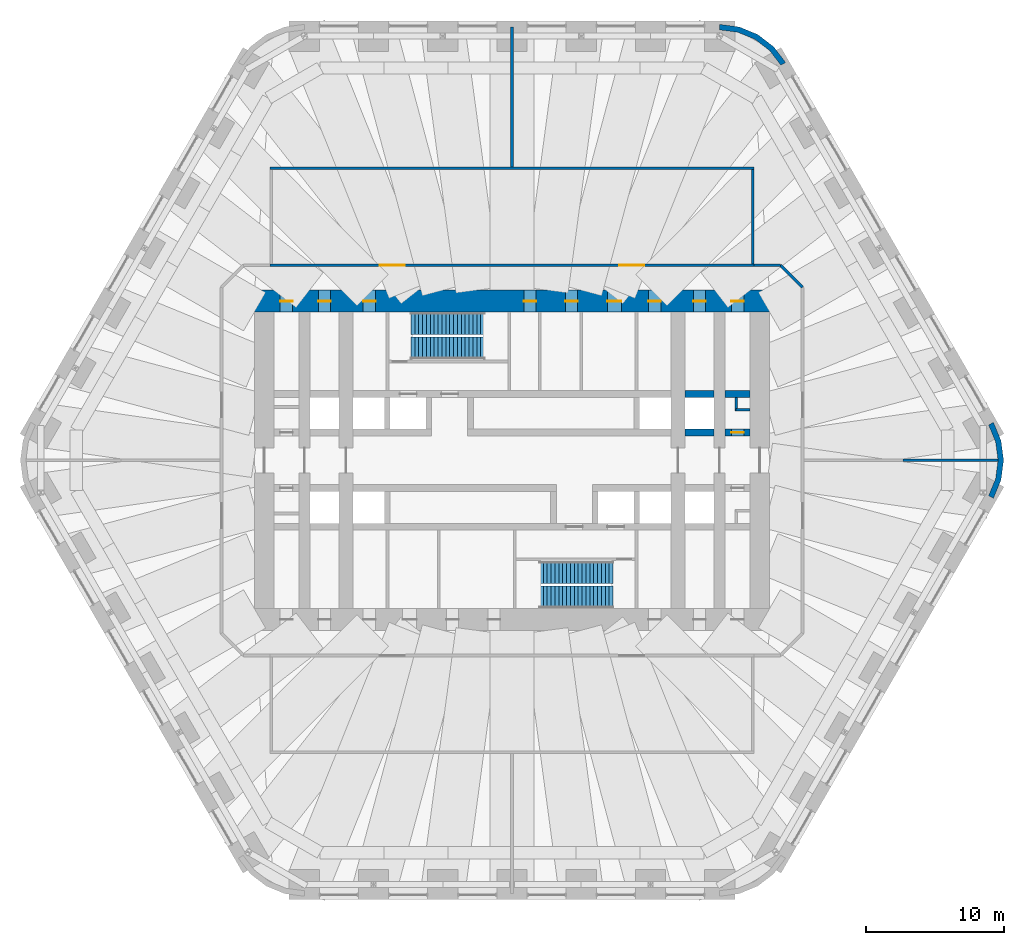
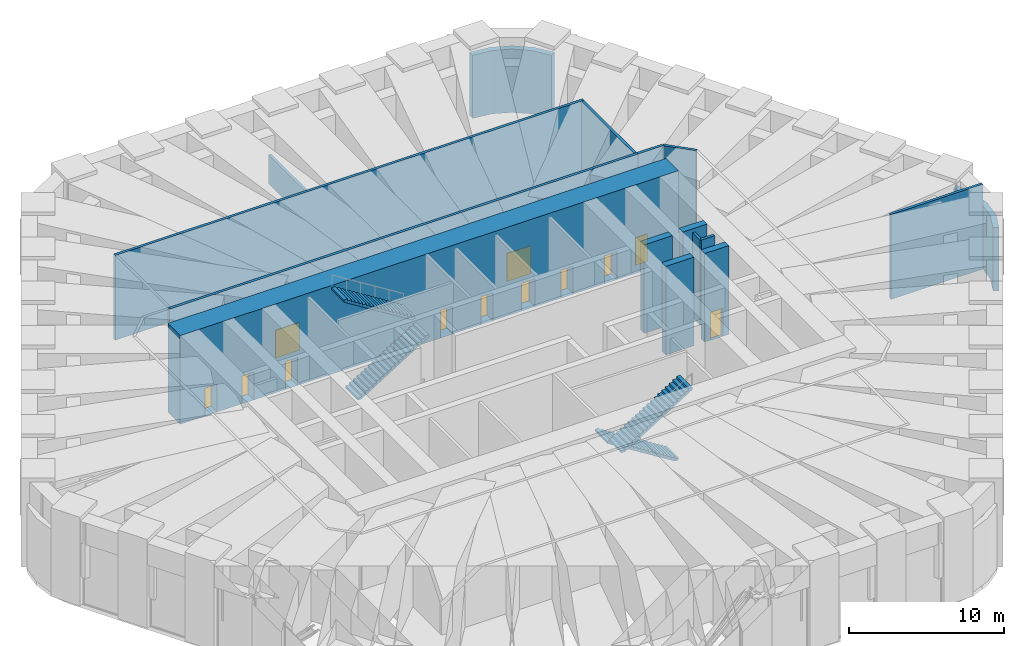
# One storey, part 15 of 16: 16 walls, 12 doors, 4 stair flights, 12 openings, 2 elements without a shape of their own.
"""IFC4 building model written with IfcOpenShell, lengths in metres."""

from ifc_helpers import new_model, si_unit, direction, frame, frame_2d, origin, place, context, subcontext, project, spatial, polyline, rectangle, outline, extrude, material, layer, layer_set, type_object, element, fill, aggregate, save


model = new_model("IFC4")

# Units and contexts
model_context = context("Model", 3, precision=1e-05, world=origin(), true_north=direction((0.0, 1.0)))
body_context = subcontext(model_context, "Body", "Model", "MODEL_VIEW")
ifc_project = project(units=[si_unit("LENGTHUNIT", "METRE"), si_unit("AREAUNIT", "SQUARE_METRE"), si_unit("VOLUMEUNIT", "CUBIC_METRE"), si_unit("PLANEANGLEUNIT", "RADIAN"), si_unit("MASSUNIT", "GRAM", prefix="KILO")], contexts=[model_context])

# Site, building, storey
site_placement = place(None, origin())
site = spatial("IfcSite", under=ifc_project, at=site_placement, CompositionType="ELEMENT")
building_placement = place(site_placement, origin())
building = spatial("IfcBuilding", under=site, at=building_placement, Name="Tarfa Lantern Tower", CompositionType="ELEMENT")
storey_placement = place(building_placement, frame((0.0, 0.0, 203.5)))
storey = spatial("IfcBuildingStorey", under=building, at=storey_placement, Name="L46", CompositionType="ELEMENT", Elevation=203.5)

# Walls
ifc_material_1 = material(Name="Limestone cladding on blockwork", Category="masonry")
ifc_layer_1 = layer(ifc_material_1, 0.39990234375)
ifc_layer_set_1 = layer_set([ifc_layer_1], Name="EW2 CURVED STONE CORNER 400")
wall_type_1 = type_object("IfcWallType", Name="EW2 CURVED STONE CORNER 400", PredefinedType="SOLIDWALL", material=ifc_layer_set_1)
wall_1_placement = place(storey_placement, origin())
element("IfcWall", 1, at=wall_1_placement, inside=storey, type_object=wall_type_1, Name="Stone corner NE-N", PredefinedType="SOLIDWALL", context=body_context, shape_type="SweptSolid", body=[
    extrude(outline(polyline([(19.774169921875, 28.75), (18.900146484375, 29.88916015625), (17.760986328125, 30.76318359375), (16.4345703125, 31.3125), (15.010986328125, 31.5), (15.010986328125, 31.10009765625), (16.3310546875, 30.92626953125), (17.56103515625, 30.416748046875), (18.617431640625, 29.606201171875), (19.427734375, 28.550048828125), (19.774169921875, 28.75)])), origin(), (0.0, 0.0, 1.0), 5.0),
])
wall_2_placement = place(storey_placement, origin())
element("IfcWall", 2, at=wall_2_placement, inside=storey, type_object=wall_type_1, Name="Stone corner SE-NE", PredefinedType="SOLIDWALL", context=body_context, shape_type="SweptSolid", body=[
    extrude(outline(polyline([(34.785400390625, -2.75), (35.334716796875, -1.423583984375), (35.522216796875, 0.0), (35.334716796875, 1.423583984375), (34.785400390625, 2.75), (34.43896484375, 2.550048828125), (34.948486328125, 1.320068359375), (35.122314453125, 0.0), (34.948486328125, -1.320068359375), (34.43896484375, -2.550048828125), (34.785400390625, -2.75)])), origin(), (0.0, 0.0, 1.0), 5.0),
])
ifc_material_2 = material(Name="Concrete blockwork", Category="masonry")
ifc_layer_2 = layer(ifc_material_2, 0.199951171875)
ifc_layer_set_2 = layer_set([ifc_layer_2], Name="IW1 BLOCKWORK PARTITION 200 EI 120")
wall_type_2 = type_object("IfcWallType", Name="IW1 BLOCKWORK PARTITION 200 EI 120", PredefinedType="PARTITIONING", material=ifc_layer_set_2)
for number, where, z_axis, x_axis, name in (
    (3, (16.199951171875, 3.64990234375, 0.0), (0.0, 0.0, 1.0), (1.0, 0.0, 0.0), "Core partition"),
    (4, (16.199951171875, 3.550048828125, 0.0), (0.0, 0.0, 1.0), (0.0, 1.0, 0.0), "Core partition"),
):
    element("IfcWall", number, at=place(storey_placement, frame(where, z_axis=z_axis, x_axis=x_axis)), inside=storey, type_object=wall_type_2, Name=name, PredefinedType="PARTITIONING", context=body_context, shape_type="SweptSolid", body=[
        extrude(rectangle(XDim=1.0, YDim=0.199951171875, at=frame_2d((0.5, 0.0))), origin(), (0.0, 0.0, 1.0), 6.699951171875),
    ])
wall_3_placement = place(storey_placement, frame((17.5, 14.10009765625, 0.0), z_axis=(0.0, 0.0, 1.0), x_axis=(1.0, 0.0, 0.0)))
element("IfcWall", 5, at=wall_3_placement, inside=storey, type_object=wall_type_2, Name="Fire-rated partition", PredefinedType="PARTITIONING", context=body_context, shape_type="SweptSolid", body=[
    extrude(rectangle(XDim=1.89990234375, YDim=0.199951171875, at=frame_2d((0.949951171875, 0.0))), origin(), (0.0, 0.0, 1.0), 6.699951171875),
])
wall_4_placement = place(storey_placement, frame((19.39990234375, 14.10009765625, 0.0), z_axis=(0.0, 0.0, 1.0), x_axis=(0.707106781187, -0.707106781187, 0.0)))
element("IfcWall", 6, at=wall_4_placement, inside=storey, type_object=wall_type_2, Name="Fire-rated partition", PredefinedType="PARTITIONING", context=body_context, shape_type="SweptSolid", body=[
    extrude(rectangle(XDim=2.262939453125, YDim=0.199951171875, at=frame_2d((1.13134765625, 0.0))), origin(), (0.0, 0.0, 1.0), 6.699951171875),
])
wall_5_placement = place(storey_placement, frame((0.0, 21.199951171875, 0.0), z_axis=(0.0, 0.0, 1.0), x_axis=(0.0, 1.0, 0.0)))
element("IfcWall", 7, at=wall_5_placement, inside=storey, type_object=wall_type_2, Name="Fire-rated partition", PredefinedType="PARTITIONING", context=body_context, shape_type="SweptSolid", body=[
    extrude(rectangle(XDim=10.110107421875, YDim=0.199951171875, at=frame_2d((5.05517578125, 0.0))), origin(), (0.0, 0.0, 1.0), 2.300048828125),
])
wall_6_placement = place(storey_placement, frame((28.24853515625, 0.0, 0.0), z_axis=(0.0, 0.0, 1.0), x_axis=(1.0, 0.0, 0.0)))
element("IfcWall", 8, at=wall_6_placement, inside=storey, type_object=wall_type_2, Name="Fire-rated partition", PredefinedType="PARTITIONING", context=body_context, shape_type="SweptSolid", body=[
    extrude(rectangle(XDim=6.860595703125, YDim=0.199951171875, at=frame_2d((3.43017578125, 0.0))), origin(), (0.0, 0.0, 1.0), 6.699951171875),
])

# Wall, openings, doors
ifc_material_3 = material(Name="Gypsum board on steel studs", Category="steel")
ifc_layer_3 = layer(ifc_material_3, 0.2099609375)
ifc_layer_set_3 = layer_set([ifc_layer_3], Name="IW2 ACOUSTIC PARTITION 200")
wall_type_3 = type_object("IfcWallType", Name="IW2 ACOUSTIC PARTITION 200", PredefinedType="PARTITIONING", material=ifc_layer_set_3)
wall_7_placement = place(storey_placement, frame((-17.5, 14.10009765625, 0.0), z_axis=(0.0, 0.0, 1.0), x_axis=(1.0, 0.0, 0.0)))
wall_7 = element("IfcWall", 9, at=wall_7_placement, inside=storey, type_object=wall_type_3, Name="Partition", PredefinedType="PARTITIONING", context=body_context, shape_type="SweptSolid", body=[
    extrude(rectangle(XDim=35.0, YDim=0.199951171875, at=frame_2d((17.5, 0.0))), origin(), (0.0, 0.0, 1.0), 6.699951171875),
])
opening_1_placement = place(wall_7_placement, frame((7.949951171875, 0.0, 0.0)))
opening_1 = element("IfcOpeningElement", 10, at=opening_1_placement, cuts=wall_7, Name="Opening D37", PredefinedType="OPENING", context=body_context, shape_type="SweptSolid", body=[
    extrude(rectangle(XDim=1.800048828125, YDim=2.199951171875, at=frame_2d((0.89990234375, 1.10009765625))), frame((0.0, 0.10986328125, 0.0), z_axis=(0.0, -1.0, 0.0), x_axis=(1.0, 0.0, 0.0)), (0.0, 0.0, 1.0), 0.219970703125),
])
opening_2_placement = place(wall_7_placement, frame((25.25, 0.0, 0.0)))
opening_2 = element("IfcOpeningElement", 11, at=opening_2_placement, cuts=wall_7, Name="Opening D38", PredefinedType="OPENING", context=body_context, shape_type="SweptSolid", body=[
    extrude(rectangle(XDim=1.800048828125, YDim=2.199951171875, at=frame_2d((0.89990234375, 1.10009765625))), frame((0.0, 0.10986328125, 0.0), z_axis=(0.0, -1.0, 0.0), x_axis=(1.0, 0.0, 0.0)), (0.0, 0.0, 1.0), 0.219970703125),
])
ifc_material_4 = material(Name="Timber door", Category="wood")
door_type_1 = type_object("IfcDoorType", Name="DR5 ROOM DOOR 1800x2200", OperationType="DOUBLE_DOOR_SINGLE_SWING", PredefinedType="DOOR", material=ifc_material_4)
door_1_placement = place(opening_1_placement, origin())
door_1 = element("IfcDoor", 12, at=door_1_placement, inside=storey, type_object=door_type_1, Name="Refuge area door", OperationType="DOUBLE_DOOR_SINGLE_SWING", OverallHeight=2.199951171875, OverallWidth=1.800048828125, PredefinedType="DOOR", context=body_context, shape_type="SweptSolid", body=[
    extrude(rectangle(XDim=1.800048828125, YDim=2.199951171875, at=frame_2d((0.89990234375, 1.10009765625))), frame((0.0, 0.02490234375, 0.0), z_axis=(0.0, -1.0, 0.0), x_axis=(1.0, 0.0, 0.0)), (0.0, 0.0, 1.0), 0.050048828125),
])
fill(opening_1, door_1)
door_2_placement = place(opening_2_placement, origin())
door_2 = element("IfcDoor", 13, at=door_2_placement, inside=storey, type_object=door_type_1, Name="Refuge area door", OperationType="DOUBLE_DOOR_SINGLE_SWING", OverallHeight=2.199951171875, OverallWidth=1.800048828125, PredefinedType="DOOR", context=body_context, shape_type="SweptSolid", body=[
    extrude(rectangle(XDim=1.800048828125, YDim=2.199951171875, at=frame_2d((0.89990234375, 1.10009765625))), frame((0.0, 0.02490234375, 0.0), z_axis=(0.0, -1.0, 0.0), x_axis=(1.0, 0.0, 0.0)), (0.0, 0.0, 1.0), 0.050048828125),
])
fill(opening_2, door_2)

# Walls
wall_8_placement = place(storey_placement, frame((17.39990234375, 14.199951171875, 0.0), z_axis=(0.0, 0.0, 1.0), x_axis=(0.0, 1.0, 0.0)))
element("IfcWall", 14, at=wall_8_placement, inside=storey, type_object=wall_type_3, Name="Partition", PredefinedType="PARTITIONING", context=body_context, shape_type="SweptSolid", body=[
    extrude(rectangle(XDim=6.800048828125, YDim=0.199951171875, at=frame_2d((3.39990234375, 0.0))), origin(), (0.0, 0.0, 1.0), 6.699951171875),
])
wall_9_placement = place(storey_placement, frame((-17.5, 21.10009765625, 0.0), z_axis=(0.0, 0.0, 1.0), x_axis=(1.0, 0.0, 0.0)))
element("IfcWall", 15, at=wall_9_placement, inside=storey, type_object=wall_type_3, Name="Partition", PredefinedType="PARTITIONING", context=body_context, shape_type="SweptSolid", body=[
    extrude(rectangle(XDim=35.0, YDim=0.199951171875, at=frame_2d((17.5, 0.0))), origin(), (0.0, 0.0, 1.0), 6.699951171875),
])
ifc_material_5 = material(Name="Concrete C80/95", Category="concrete")
ifc_layer_4 = layer(ifc_material_5, 0.5)
ifc_layer_set_4 = layer_set([ifc_layer_4], Name="SW5 CORE WALL 500")
wall_type_4 = type_object("IfcWallType", Name="SW5 CORE WALL 500", PredefinedType="SHEAR", material=ifc_layer_set_4)
wall_10_placement = place(storey_placement, frame((12.5, 2.0, 0.0), z_axis=(0.0, 0.0, 1.0), x_axis=(1.0, 0.0, 0.0)))
element("IfcWall", 16, at=wall_10_placement, inside=storey, type_object=wall_type_4, Name="Core wall lobby east N", PredefinedType="SHEAR", context=body_context, shape_type="SweptSolid", body=[
    extrude(rectangle(XDim=2.10009765625, YDim=0.5, at=frame_2d((1.050048828125, 0.0))), origin(), (0.0, 0.0, 1.0), 7.0),
])

# Wall, opening, door
wall_11_placement = place(storey_placement, frame((15.39990234375, 2.0, 0.0), z_axis=(0.0, 0.0, 1.0), x_axis=(1.0, 0.0, 0.0)))
wall_11 = element("IfcWall", 17, at=wall_11_placement, inside=storey, type_object=wall_type_4, Name="Core wall lobby east N", PredefinedType="SHEAR", context=body_context, shape_type="SweptSolid", body=[
    extrude(rectangle(XDim=1.800048828125, YDim=0.5, at=frame_2d((0.89990234375, 0.0))), origin(), (0.0, 0.0, 1.0), 7.0),
])
opening_3_placement = place(wall_11_placement, frame((0.449951171875, 0.0, 0.0)))
opening_3 = element("IfcOpeningElement", 18, at=opening_3_placement, cuts=wall_11, Name="Opening D17", PredefinedType="OPENING", context=body_context, shape_type="SweptSolid", body=[
    extrude(rectangle(XDim=0.89990234375, YDim=2.199951171875, at=frame_2d((0.449951171875, 1.10009765625))), frame((0.0, 0.260009765625, 0.0), z_axis=(0.0, -1.0, 0.0), x_axis=(1.0, 0.0, 0.0)), (0.0, 0.0, 1.0), 0.52001953125),
])
ifc_material_6 = material(Name="Steel fire door", Category="steel")
door_type_2 = type_object("IfcDoorType", Name="DF6 SERVICE ROOM DOOR 900x2200", OperationType="SINGLE_SWING_LEFT", PredefinedType="DOOR", material=ifc_material_6)
door_3_placement = place(opening_3_placement, origin())
door_3 = element("IfcDoor", 19, at=door_3_placement, inside=storey, type_object=door_type_2, Name="Service room door", OperationType="SINGLE_SWING_LEFT", OverallHeight=2.199951171875, OverallWidth=0.89990234375, PredefinedType="DOOR", context=body_context, shape_type="SweptSolid", body=[
    extrude(rectangle(XDim=0.89990234375, YDim=2.199951171875, at=frame_2d((0.449951171875, 1.10009765625))), frame((0.0, 0.02490234375, 0.0), z_axis=(0.0, -1.0, 0.0), x_axis=(1.0, 0.0, 0.0)), (0.0, 0.0, 1.0), 0.050048828125),
])
fill(opening_3, door_3)

# Walls
wall_12_placement = place(storey_placement, frame((12.5, 4.800048828125, 0.0), z_axis=(0.0, 0.0, 1.0), x_axis=(1.0, 0.0, 0.0)))
element("IfcWall", 20, at=wall_12_placement, inside=storey, type_object=wall_type_4, Name="Core wall rear N", PredefinedType="SHEAR", context=body_context, shape_type="SweptSolid", body=[
    extrude(rectangle(XDim=2.10009765625, YDim=0.5, at=frame_2d((1.050048828125, 0.0))), origin(), (0.0, 0.0, 1.0), 7.0),
])
wall_13_placement = place(storey_placement, frame((15.39990234375, 4.800048828125, 0.0), z_axis=(0.0, 0.0, 1.0), x_axis=(1.0, 0.0, 0.0)))
element("IfcWall", 21, at=wall_13_placement, inside=storey, type_object=wall_type_4, Name="Core wall rear N", PredefinedType="SHEAR", context=body_context, shape_type="SweptSolid", body=[
    extrude(rectangle(XDim=1.800048828125, YDim=0.5, at=frame_2d((0.89990234375, 0.0))), origin(), (0.0, 0.0, 1.0), 7.0),
])

# Wall, openings, doors
ifc_layer_5 = layer(ifc_material_5, 1.60009765625)
ifc_layer_set_5 = layer_set([ifc_layer_5], Name="SW7 CORE WALL 1600")
wall_type_5 = type_object("IfcWallType", Name="SW7 CORE WALL 1600", PredefinedType="SHEAR", material=ifc_layer_set_5)
wall_14_placement = place(storey_placement, frame((-18.60009765625, 11.5, 0.0), z_axis=(0.0, 0.0, 1.0), x_axis=(1.0, 0.0, 0.0)))
wall_14 = element("IfcWall", 22, at=wall_14_placement, inside=storey, type_object=wall_type_5, Name="Core wall N", PredefinedType="SHEAR", context=body_context, shape_type="SweptSolid", body=[
    extrude(rectangle(XDim=37.2001953125, YDim=1.60009765625, at=frame_2d((18.60009765625, 0.0))), origin(), (0.0, 0.0, 1.0), 7.0),
])
opening_4_placement = place(wall_14_placement, frame((19.449951171875, 0.0, 0.0)))
opening_4 = element("IfcOpeningElement", 23, at=opening_4_placement, cuts=wall_14, Name="Opening D21", PredefinedType="OPENING", context=body_context, shape_type="SweptSolid", body=[
    extrude(rectangle(XDim=0.89990234375, YDim=2.199951171875, at=frame_2d((0.449951171875, 1.10009765625))), frame((0.0, 0.81005859375, 0.0), z_axis=(0.0, -1.0, 0.0), x_axis=(1.0, 0.0, 0.0)), (0.0, 0.0, 1.0), 1.6201171875),
])
opening_5_placement = place(wall_14_placement, frame((22.449951171875, 0.0, 0.0)))
opening_5 = element("IfcOpeningElement", 24, at=opening_5_placement, cuts=wall_14, Name="Opening D23", PredefinedType="OPENING", context=body_context, shape_type="SweptSolid", body=[
    extrude(rectangle(XDim=0.89990234375, YDim=2.199951171875, at=frame_2d((0.449951171875, 1.10009765625))), frame((0.0, 0.81005859375, 0.0), z_axis=(0.0, -1.0, 0.0), x_axis=(1.0, 0.0, 0.0)), (0.0, 0.0, 1.0), 1.6201171875),
])
opening_6_placement = place(wall_14_placement, frame((25.5, 0.0, 0.0)))
opening_6 = element("IfcOpeningElement", 25, at=opening_6_placement, cuts=wall_14, Name="Opening D25", PredefinedType="OPENING", context=body_context, shape_type="SweptSolid", body=[
    extrude(rectangle(XDim=1.0, YDim=2.199951171875, at=frame_2d((0.5, 1.10009765625))), frame((0.0, 0.81005859375, 0.0), z_axis=(0.0, -1.0, 0.0), x_axis=(1.0, 0.0, 0.0)), (0.0, 0.0, 1.0), 1.6201171875),
])
opening_7_placement = place(wall_14_placement, frame((1.85009765625, 0.0, 0.0)))
opening_7 = element("IfcOpeningElement", 26, at=opening_7_placement, cuts=wall_14, Name="Opening D11", PredefinedType="OPENING", context=body_context, shape_type="SweptSolid", body=[
    extrude(rectangle(XDim=0.89990234375, YDim=2.199951171875, at=frame_2d((0.449951171875, 1.10009765625))), frame((0.0, 0.81005859375, 0.0), z_axis=(0.0, -1.0, 0.0), x_axis=(1.0, 0.0, 0.0)), (0.0, 0.0, 1.0), 1.6201171875),
])
opening_8_placement = place(wall_14_placement, frame((4.60009765625, 0.0, 0.0)))
opening_8 = element("IfcOpeningElement", 27, at=opening_8_placement, cuts=wall_14, Name="Opening D07", PredefinedType="OPENING", context=body_context, shape_type="SweptSolid", body=[
    extrude(rectangle(XDim=0.89990234375, YDim=2.199951171875, at=frame_2d((0.449951171875, 1.10009765625))), frame((0.0, 0.81005859375, 0.0), z_axis=(0.0, -1.0, 0.0), x_axis=(1.0, 0.0, 0.0)), (0.0, 0.0, 1.0), 1.6201171875),
])
opening_9_placement = place(wall_14_placement, frame((7.85009765625, 0.0, 0.0)))
opening_9 = element("IfcOpeningElement", 28, at=opening_9_placement, cuts=wall_14, Name="Opening D09", PredefinedType="OPENING", context=body_context, shape_type="SweptSolid", body=[
    extrude(rectangle(XDim=0.89990234375, YDim=2.199951171875, at=frame_2d((0.449951171875, 1.10009765625))), frame((0.0, 0.81005859375, 0.0), z_axis=(0.0, -1.0, 0.0), x_axis=(1.0, 0.0, 0.0)), (0.0, 0.0, 1.0), 1.6201171875),
])
opening_10_placement = place(wall_14_placement, frame((28.449951171875, 0.0, 0.0)))
opening_10 = element("IfcOpeningElement", 29, at=opening_10_placement, cuts=wall_14, Name="Opening D05", PredefinedType="OPENING", context=body_context, shape_type="SweptSolid", body=[
    extrude(rectangle(XDim=0.89990234375, YDim=2.199951171875, at=frame_2d((0.449951171875, 1.10009765625))), frame((0.0, 0.81005859375, 0.0), z_axis=(0.0, -1.0, 0.0), x_axis=(1.0, 0.0, 0.0)), (0.0, 0.0, 1.0), 1.6201171875),
])
opening_11_placement = place(wall_14_placement, frame((31.699951171875, 0.0, 0.0)))
opening_11 = element("IfcOpeningElement", 30, at=opening_11_placement, cuts=wall_14, Name="Opening D01", PredefinedType="OPENING", context=body_context, shape_type="SweptSolid", body=[
    extrude(rectangle(XDim=0.89990234375, YDim=2.199951171875, at=frame_2d((0.449951171875, 1.10009765625))), frame((0.0, 0.81005859375, 0.0), z_axis=(0.0, -1.0, 0.0), x_axis=(1.0, 0.0, 0.0)), (0.0, 0.0, 1.0), 1.6201171875),
])
opening_12_placement = place(wall_14_placement, frame((34.449951171875, 0.0, 0.0)))
opening_12 = element("IfcOpeningElement", 31, at=opening_12_placement, cuts=wall_14, Name="Opening D03", PredefinedType="OPENING", context=body_context, shape_type="SweptSolid", body=[
    extrude(rectangle(XDim=0.89990234375, YDim=2.199951171875, at=frame_2d((0.449951171875, 1.10009765625))), frame((0.0, 0.81005859375, 0.0), z_axis=(0.0, -1.0, 0.0), x_axis=(1.0, 0.0, 0.0)), (0.0, 0.0, 1.0), 1.6201171875),
])
door_type_3 = type_object("IfcDoorType", Name="DF3 CORE ROOM DOOR 900x2200", OperationType="SINGLE_SWING_LEFT", PredefinedType="DOOR", material=ifc_material_6)
door_4_placement = place(opening_4_placement, frame((0.89990234375, 0.0, 0.0), z_axis=(0.0, 0.0, 1.0), x_axis=(-1.0, 0.0, 0.0)))
door_4 = element("IfcDoor", 32, at=door_4_placement, inside=storey, type_object=door_type_3, Name="Core door", OperationType="SINGLE_SWING_RIGHT", OverallHeight=2.199951171875, OverallWidth=0.89990234375, PredefinedType="DOOR", context=body_context, shape_type="SweptSolid", body=[
    extrude(rectangle(XDim=0.89990234375, YDim=2.199951171875, at=frame_2d((0.449951171875, 1.10009765625))), frame((0.0, 0.02490234375, 0.0), z_axis=(0.0, -1.0, 0.0), x_axis=(1.0, 0.0, 0.0)), (0.0, 0.0, 1.0), 0.050048828125),
])
fill(opening_4, door_4)
door_5_placement = place(opening_5_placement, frame((0.89990234375, 0.0, 0.0), z_axis=(0.0, 0.0, 1.0), x_axis=(-1.0, 0.0, 0.0)))
door_5 = element("IfcDoor", 33, at=door_5_placement, inside=storey, type_object=door_type_3, Name="Core door", OperationType="SINGLE_SWING_RIGHT", OverallHeight=2.199951171875, OverallWidth=0.89990234375, PredefinedType="DOOR", context=body_context, shape_type="SweptSolid", body=[
    extrude(rectangle(XDim=0.89990234375, YDim=2.199951171875, at=frame_2d((0.449951171875, 1.10009765625))), frame((0.0, 0.02490234375, 0.0), z_axis=(0.0, -1.0, 0.0), x_axis=(1.0, 0.0, 0.0)), (0.0, 0.0, 1.0), 0.050048828125),
])
fill(opening_5, door_5)
door_type_4 = type_object("IfcDoorType", Name="DF4 CORE ROOM DOOR 1000x2200", OperationType="SINGLE_SWING_LEFT", PredefinedType="DOOR", material=ifc_material_6)
door_6_placement = place(opening_6_placement, frame((1.0, 0.0, 0.0), z_axis=(0.0, 0.0, 1.0), x_axis=(-1.0, 0.0, 0.0)))
door_6 = element("IfcDoor", 34, at=door_6_placement, inside=storey, type_object=door_type_4, Name="Core door", OperationType="SINGLE_SWING_RIGHT", OverallHeight=2.199951171875, OverallWidth=1.0, PredefinedType="DOOR", context=body_context, shape_type="SweptSolid", body=[
    extrude(rectangle(XDim=1.0, YDim=2.199951171875, at=frame_2d((0.5, 1.10009765625))), frame((0.0, 0.02490234375, 0.0), z_axis=(0.0, -1.0, 0.0), x_axis=(1.0, 0.0, 0.0)), (0.0, 0.0, 1.0), 0.050048828125),
])
fill(opening_6, door_6)
door_type_5 = type_object("IfcDoorType", Name="DF5 RISER DOOR 900x2200", OperationType="SINGLE_SWING_LEFT", PredefinedType="DOOR", material=ifc_material_6)
door_7_placement = place(opening_7_placement, frame((0.89990234375, 0.0, 0.0), z_axis=(0.0, 0.0, 1.0), x_axis=(-1.0, 0.0, 0.0)))
door_7 = element("IfcDoor", 35, at=door_7_placement, inside=storey, type_object=door_type_5, Name="Riser door", OperationType="SINGLE_SWING_LEFT", OverallHeight=2.199951171875, OverallWidth=0.89990234375, PredefinedType="DOOR", context=body_context, shape_type="SweptSolid", body=[
    extrude(rectangle(XDim=0.89990234375, YDim=2.199951171875, at=frame_2d((0.449951171875, 1.10009765625))), frame((0.0, 0.02490234375, 0.0), z_axis=(0.0, -1.0, 0.0), x_axis=(1.0, 0.0, 0.0)), (0.0, 0.0, 1.0), 0.050048828125),
])
fill(opening_7, door_7)
door_8_placement = place(opening_8_placement, frame((0.89990234375, 0.0, 0.0), z_axis=(0.0, 0.0, 1.0), x_axis=(-1.0, 0.0, 0.0)))
door_8 = element("IfcDoor", 36, at=door_8_placement, inside=storey, type_object=door_type_5, Name="Riser door", OperationType="SINGLE_SWING_LEFT", OverallHeight=2.199951171875, OverallWidth=0.89990234375, PredefinedType="DOOR", context=body_context, shape_type="SweptSolid", body=[
    extrude(rectangle(XDim=0.89990234375, YDim=2.199951171875, at=frame_2d((0.449951171875, 1.10009765625))), frame((0.0, 0.02490234375, 0.0), z_axis=(0.0, -1.0, 0.0), x_axis=(1.0, 0.0, 0.0)), (0.0, 0.0, 1.0), 0.050048828125),
])
fill(opening_8, door_8)
door_9_placement = place(opening_9_placement, frame((0.89990234375, 0.0, 0.0), z_axis=(0.0, 0.0, 1.0), x_axis=(-1.0, 0.0, 0.0)))
door_9 = element("IfcDoor", 37, at=door_9_placement, inside=storey, type_object=door_type_5, Name="Riser door", OperationType="SINGLE_SWING_LEFT", OverallHeight=2.199951171875, OverallWidth=0.89990234375, PredefinedType="DOOR", context=body_context, shape_type="SweptSolid", body=[
    extrude(rectangle(XDim=0.89990234375, YDim=2.199951171875, at=frame_2d((0.449951171875, 1.10009765625))), frame((0.0, 0.02490234375, 0.0), z_axis=(0.0, -1.0, 0.0), x_axis=(1.0, 0.0, 0.0)), (0.0, 0.0, 1.0), 0.050048828125),
])
fill(opening_9, door_9)
door_10_placement = place(opening_10_placement, frame((0.89990234375, 0.0, 0.0), z_axis=(0.0, 0.0, 1.0), x_axis=(-1.0, 0.0, 0.0)))
door_10 = element("IfcDoor", 38, at=door_10_placement, inside=storey, type_object=door_type_5, Name="Riser door", OperationType="SINGLE_SWING_RIGHT", OverallHeight=2.199951171875, OverallWidth=0.89990234375, PredefinedType="DOOR", context=body_context, shape_type="SweptSolid", body=[
    extrude(rectangle(XDim=0.89990234375, YDim=2.199951171875, at=frame_2d((0.449951171875, 1.10009765625))), frame((0.0, 0.02490234375, 0.0), z_axis=(0.0, -1.0, 0.0), x_axis=(1.0, 0.0, 0.0)), (0.0, 0.0, 1.0), 0.050048828125),
])
fill(opening_10, door_10)
door_11_placement = place(opening_11_placement, frame((0.89990234375, 0.0, 0.0), z_axis=(0.0, 0.0, 1.0), x_axis=(-1.0, 0.0, 0.0)))
door_11 = element("IfcDoor", 39, at=door_11_placement, inside=storey, type_object=door_type_5, Name="Riser door", OperationType="SINGLE_SWING_RIGHT", OverallHeight=2.199951171875, OverallWidth=0.89990234375, PredefinedType="DOOR", context=body_context, shape_type="SweptSolid", body=[
    extrude(rectangle(XDim=0.89990234375, YDim=2.199951171875, at=frame_2d((0.449951171875, 1.10009765625))), frame((0.0, 0.02490234375, 0.0), z_axis=(0.0, -1.0, 0.0), x_axis=(1.0, 0.0, 0.0)), (0.0, 0.0, 1.0), 0.050048828125),
])
fill(opening_11, door_11)
door_12_placement = place(opening_12_placement, frame((0.89990234375, 0.0, 0.0), z_axis=(0.0, 0.0, 1.0), x_axis=(-1.0, 0.0, 0.0)))
door_12 = element("IfcDoor", 40, at=door_12_placement, inside=storey, type_object=door_type_5, Name="Riser door", OperationType="SINGLE_SWING_RIGHT", OverallHeight=2.199951171875, OverallWidth=0.89990234375, PredefinedType="DOOR", context=body_context, shape_type="SweptSolid", body=[
    extrude(rectangle(XDim=0.89990234375, YDim=2.199951171875, at=frame_2d((0.449951171875, 1.10009765625))), frame((0.0, 0.02490234375, 0.0), z_axis=(0.0, -1.0, 0.0), x_axis=(1.0, 0.0, 0.0)), (0.0, 0.0, 1.0), 0.050048828125),
])
fill(opening_12, door_12)

# Stair, stair flights
ifc_material_7 = material(Name="Concrete C40/50", Category="concrete")
stair_type = type_object("IfcStairType", Name="ST-T3 HALF-TURN STAIR 7000 RISE", PredefinedType="HALF_TURN_STAIR", material=ifc_material_7)
stair_1_placement = place(storey_placement, origin())
stair_1 = element("IfcStair", 41, at=stair_1_placement, inside=storey, type_object=stair_type, Name="Stair ST1", PredefinedType="HALF_TURN_STAIR")
stair_flight_type = type_object("IfcStairFlightType", Name="SF1 STAIR FLIGHT", PredefinedType="STRAIGHT", material=ifc_material_7)
stair_flight_1_placement = place(storey_placement, frame((-7.300048828125, 8.10009765625, 0.0), z_axis=(0.0, 0.0, 1.0), x_axis=(1.0, 0.0, 0.0)))
stair_flight_1 = element("IfcStairFlight", 42, at=stair_flight_1_placement, type_object=stair_flight_type, Name="ST1 flight 1", NumberOfRisers=20, NumberOfTreads=19, PredefinedType="STRAIGHT", RiserHeight=0.175, TreadLength=0.28, context=body_context, shape_type="SweptSolid", body=[
    extrude(outline(polyline([(0.0, 0.0), (0.0, 0.175048828125), (0.280029296875, 0.175048828125), (0.280029296875, 0.35009765625), (0.56005859375, 0.35009765625), (0.56005859375, 0.52490234375), (0.840087890625, 0.52490234375), (0.840087890625, 0.699951171875), (1.1201171875, 0.699951171875), (1.1201171875, 0.875), (1.39990234375, 0.875), (1.39990234375, 1.050048828125), (1.679931640625, 1.050048828125), (1.679931640625, 1.22509765625), (1.9599609375, 1.22509765625), (1.9599609375, 1.39990234375), (2.239990234375, 1.39990234375), (2.239990234375, 1.574951171875), (2.52001953125, 1.574951171875), (2.52001953125, 1.75), (2.800048828125, 1.75), (2.800048828125, 1.925048828125), (3.080078125, 1.925048828125), (3.080078125, 2.10009765625), (3.360107421875, 2.10009765625), (3.360107421875, 2.27490234375), (3.639892578125, 2.27490234375), (3.639892578125, 2.449951171875), (3.919921875, 2.449951171875), (3.919921875, 2.625), (4.199951171875, 2.625), (4.199951171875, 2.800048828125), (4.47998046875, 2.800048828125), (4.47998046875, 2.97509765625), (4.760009765625, 2.97509765625), (4.760009765625, 3.14990234375), (5.0400390625, 3.14990234375), (5.0400390625, 3.324951171875), (5.320068359375, 3.324951171875), (5.320068359375, 3.5), (5.320068359375, 3.148193359375), (0.28271484375, 0.0), (0.0, 0.0)])), frame((0.0, 0.800048828125, 0.0), z_axis=(0.0, -1.0, 0.0), x_axis=(1.0, 0.0, 0.0)), (0.0, 0.0, 1.0), 1.60009765625),
])
stair_flight_2_placement = place(storey_placement, frame((-1.97998046875, 9.89990234375, 3.5), z_axis=(0.0, 0.0, 1.0), x_axis=(-1.0, 0.0, 0.0)))
stair_flight_2 = element("IfcStairFlight", 43, at=stair_flight_2_placement, type_object=stair_flight_type, Name="ST1 flight 2", NumberOfRisers=20, NumberOfTreads=19, PredefinedType="STRAIGHT", RiserHeight=0.175, TreadLength=0.28, context=body_context, shape_type="SweptSolid", body=[
    extrude(outline(polyline([(0.0, 0.0), (0.0, 0.175048828125), (0.280029296875, 0.175048828125), (0.280029296875, 0.35009765625), (0.56005859375, 0.35009765625), (0.56005859375, 0.52490234375), (0.840087890625, 0.52490234375), (0.840087890625, 0.699951171875), (1.1201171875, 0.699951171875), (1.1201171875, 0.875), (1.39990234375, 0.875), (1.39990234375, 1.050048828125), (1.679931640625, 1.050048828125), (1.679931640625, 1.22509765625), (1.9599609375, 1.22509765625), (1.9599609375, 1.39990234375), (2.239990234375, 1.39990234375), (2.239990234375, 1.574951171875), (2.52001953125, 1.574951171875), (2.52001953125, 1.75), (2.800048828125, 1.75), (2.800048828125, 1.925048828125), (3.080078125, 1.925048828125), (3.080078125, 2.10009765625), (3.360107421875, 2.10009765625), (3.360107421875, 2.27490234375), (3.639892578125, 2.27490234375), (3.639892578125, 2.449951171875), (3.919921875, 2.449951171875), (3.919921875, 2.625), (4.199951171875, 2.625), (4.199951171875, 2.800048828125), (4.47998046875, 2.800048828125), (4.47998046875, 2.97509765625), (4.760009765625, 2.97509765625), (4.760009765625, 3.14990234375), (5.0400390625, 3.14990234375), (5.0400390625, 3.324951171875), (5.320068359375, 3.324951171875), (5.320068359375, 3.5), (5.320068359375, 3.148193359375), (0.28271484375, 0.0), (0.0, 0.0)])), frame((0.0, 0.800048828125, 0.0), z_axis=(0.0, -1.0, 0.0), x_axis=(1.0, 0.0, 0.0)), (0.0, 0.0, 1.0), 1.60009765625),
])
aggregate(stair_1, [stair_flight_1, stair_flight_2])

stair_2_placement = place(storey_placement, origin())
stair_2 = element("IfcStair", 44, at=stair_2_placement, inside=storey, type_object=stair_type, Name="Stair ST2", PredefinedType="HALF_TURN_STAIR")
stair_flight_3_placement = place(storey_placement, frame((7.300048828125, -8.10009765625, 0.0), z_axis=(0.0, 0.0, 1.0), x_axis=(-1.0, 0.0, 0.0)))
stair_flight_3 = element("IfcStairFlight", 45, at=stair_flight_3_placement, type_object=stair_flight_type, Name="ST2 flight 1", NumberOfRisers=20, NumberOfTreads=19, PredefinedType="STRAIGHT", RiserHeight=0.175, TreadLength=0.28, context=body_context, shape_type="SweptSolid", body=[
    extrude(outline(polyline([(0.0, 0.0), (0.0, 0.175048828125), (0.280029296875, 0.175048828125), (0.280029296875, 0.35009765625), (0.56005859375, 0.35009765625), (0.56005859375, 0.52490234375), (0.840087890625, 0.52490234375), (0.840087890625, 0.699951171875), (1.1201171875, 0.699951171875), (1.1201171875, 0.875), (1.39990234375, 0.875), (1.39990234375, 1.050048828125), (1.679931640625, 1.050048828125), (1.679931640625, 1.22509765625), (1.9599609375, 1.22509765625), (1.9599609375, 1.39990234375), (2.239990234375, 1.39990234375), (2.239990234375, 1.574951171875), (2.52001953125, 1.574951171875), (2.52001953125, 1.75), (2.800048828125, 1.75), (2.800048828125, 1.925048828125), (3.080078125, 1.925048828125), (3.080078125, 2.10009765625), (3.360107421875, 2.10009765625), (3.360107421875, 2.27490234375), (3.639892578125, 2.27490234375), (3.639892578125, 2.449951171875), (3.919921875, 2.449951171875), (3.919921875, 2.625), (4.199951171875, 2.625), (4.199951171875, 2.800048828125), (4.47998046875, 2.800048828125), (4.47998046875, 2.97509765625), (4.760009765625, 2.97509765625), (4.760009765625, 3.14990234375), (5.0400390625, 3.14990234375), (5.0400390625, 3.324951171875), (5.320068359375, 3.324951171875), (5.320068359375, 3.5), (5.320068359375, 3.148193359375), (0.28271484375, 0.0), (0.0, 0.0)])), frame((0.0, 0.800048828125, 0.0), z_axis=(0.0, -1.0, 0.0), x_axis=(1.0, 0.0, 0.0)), (0.0, 0.0, 1.0), 1.60009765625),
])
stair_flight_4_placement = place(storey_placement, frame((1.97998046875, -9.89990234375, 3.5), z_axis=(0.0, 0.0, 1.0), x_axis=(1.0, 0.0, 0.0)))
stair_flight_4 = element("IfcStairFlight", 46, at=stair_flight_4_placement, type_object=stair_flight_type, Name="ST2 flight 2", NumberOfRisers=20, NumberOfTreads=19, PredefinedType="STRAIGHT", RiserHeight=0.175, TreadLength=0.28, context=body_context, shape_type="SweptSolid", body=[
    extrude(outline(polyline([(0.0, 0.0), (0.0, 0.175048828125), (0.280029296875, 0.175048828125), (0.280029296875, 0.35009765625), (0.56005859375, 0.35009765625), (0.56005859375, 0.52490234375), (0.840087890625, 0.52490234375), (0.840087890625, 0.699951171875), (1.1201171875, 0.699951171875), (1.1201171875, 0.875), (1.39990234375, 0.875), (1.39990234375, 1.050048828125), (1.679931640625, 1.050048828125), (1.679931640625, 1.22509765625), (1.9599609375, 1.22509765625), (1.9599609375, 1.39990234375), (2.239990234375, 1.39990234375), (2.239990234375, 1.574951171875), (2.52001953125, 1.574951171875), (2.52001953125, 1.75), (2.800048828125, 1.75), (2.800048828125, 1.925048828125), (3.080078125, 1.925048828125), (3.080078125, 2.10009765625), (3.360107421875, 2.10009765625), (3.360107421875, 2.27490234375), (3.639892578125, 2.27490234375), (3.639892578125, 2.449951171875), (3.919921875, 2.449951171875), (3.919921875, 2.625), (4.199951171875, 2.625), (4.199951171875, 2.800048828125), (4.47998046875, 2.800048828125), (4.47998046875, 2.97509765625), (4.760009765625, 2.97509765625), (4.760009765625, 3.14990234375), (5.0400390625, 3.14990234375), (5.0400390625, 3.324951171875), (5.320068359375, 3.324951171875), (5.320068359375, 3.5), (5.320068359375, 3.148193359375), (0.28271484375, 0.0), (0.0, 0.0)])), frame((0.0, 0.800048828125, 0.0), z_axis=(0.0, -1.0, 0.0), x_axis=(1.0, 0.0, 0.0)), (0.0, 0.0, 1.0), 1.60009765625),
])
aggregate(stair_2, [stair_flight_3, stair_flight_4])

save(model, "model.ifc")
